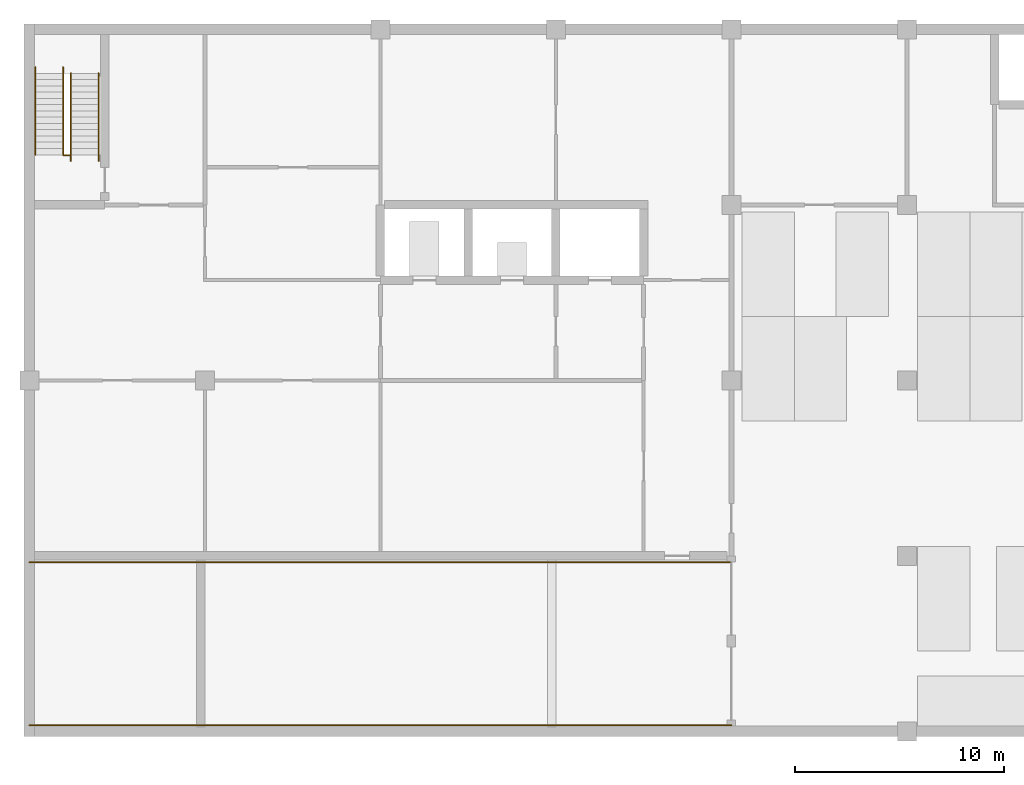
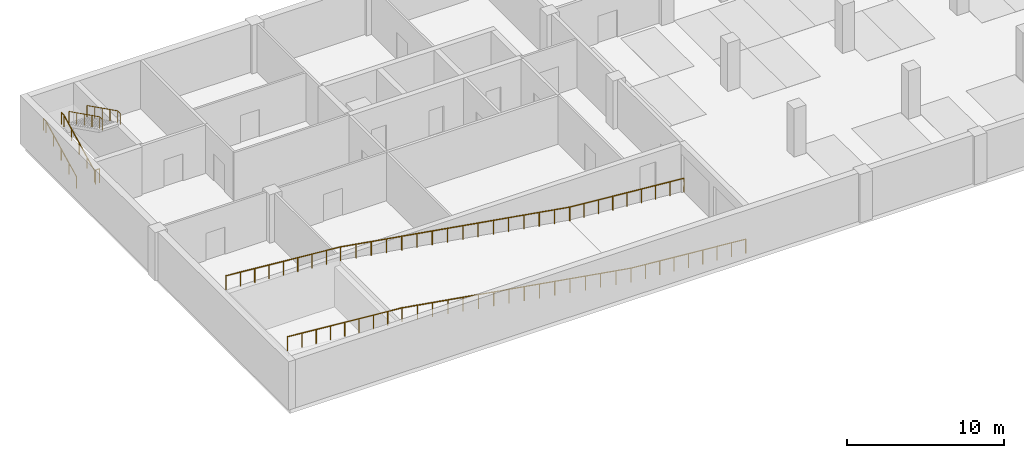
# One storey, part 7 of 14: 7 railings.
"""IFC4 building model written with IfcOpenShell, lengths in metres."""

import ifcopenshell
import ifcopenshell.guid

model = None  # the IFC model being written
_history = None  # IfcOwnerHistory: only IFC2X3 demands one
_inside = {}  # id of a spatial element -> (the spatial element, [elements in it])
_under = {}  # id of a project, library or spatial element -> (it, [spatial elements below it])
_declared = {}  # id of a project -> (the project, [libraries it declares])
_typed = {}  # id of a type object -> (the type object, [elements of that type])
_made_of = {}  # id of a material, layer set ... -> (it, [elements and type objects made of it])


def new_model(schema):
    """Start an empty IFC model of exactly this schema.

    Asked for "IFC4X3", IfcOpenShell would pick the latest addendum, in which some entities
    have other attributes; the version numbers below select the first issue.
    IFC2X3 requires an IfcOwnerHistory on every rooted entity: one is made here for all.
    """
    global model, _history
    if schema == "IFC4X3":
        model = ifcopenshell.file(schema_version=(4, 3, 0, 0))
    else:
        model = ifcopenshell.file(schema=schema)
    _inside.clear()
    _under.clear()
    _declared.clear()
    _typed.clear()
    _made_of.clear()
    _history = None
    if model.schema == "IFC2X3":
        org = make("IfcOrganization", Name="unknown")
        user = make(
            "IfcPersonAndOrganization",
            ThePerson=make("IfcPerson", FamilyName="unknown"),
            TheOrganization=org,
        )
        app = make(
            "IfcApplication",
            ApplicationDeveloper=org,
            Version="unknown",
            ApplicationFullName="unknown",
            ApplicationIdentifier="unknown",
        )
        _history = make(
            "IfcOwnerHistory",
            OwningUser=user,
            OwningApplication=app,
            ChangeAction="ADDED",
            CreationDate=0,
        )
    return model


def make(cls, **values):
    """One entity of the class cls with the attributes given. An attribute that is None is left unset."""
    return model.create_entity(
        cls, **{name: value for name, value in values.items() if value is not None}
    )


def rooted(cls, **values):
    """An entity with a GlobalId (a new one), such as an element, a storey or a relation."""
    return make(cls, GlobalId=ifcopenshell.guid.new(), OwnerHistory=_history, **values)


def si_unit(unit_type, name, prefix=None):
    """IfcSIUnit, for example si_unit("LENGTHUNIT", "METRE", prefix="MILLI")."""
    return make("IfcSIUnit", UnitType=unit_type, Prefix=prefix, Name=name)


def assignment(units):
    """IfcUnitAssignment: the units of a project."""
    return None if units is None else make("IfcUnitAssignment", Units=units)


def point(xyz):
    """IfcCartesianPoint."""
    return None if xyz is None else make("IfcCartesianPoint", Coordinates=xyz)


def direction(xyz):
    """IfcDirection."""
    return None if xyz is None else make("IfcDirection", DirectionRatios=xyz)


def frame(location, z_axis=None, x_axis=None):
    """IfcAxis2Placement3D, a coordinate frame: its origin and axes. An axis left out is left unset."""
    return make(
        "IfcAxis2Placement3D",
        Location=point(location),
        Axis=direction(z_axis),
        RefDirection=direction(x_axis),
    )


def frame_2d(location, x_axis=None):
    """IfcAxis2Placement2D, a coordinate frame in the plane: its origin and x axis."""
    return make(
        "IfcAxis2Placement2D", Location=point(location), RefDirection=direction(x_axis)
    )


def origin():
    """The frame at (0, 0, 0) with its axes left unset."""
    return frame((0.0, 0.0, 0.0))


def origin_2d():
    """The frame at (0, 0) in the plane with its x axis left unset."""
    return frame_2d((0.0, 0.0))


def place(relative_to, where):
    """IfcLocalPlacement: puts the frame where relative to a parent placement (None: the world)."""
    return make(
        "IfcLocalPlacement", PlacementRelTo=relative_to, RelativePlacement=where
    )


def context(
    kind, dimensions, precision=None, world=None, true_north=None, identifier=None
):
    """IfcGeometricRepresentationContext, for example the 3D "Model" context."""
    return make(
        "IfcGeometricRepresentationContext",
        ContextIdentifier=identifier,
        ContextType=kind,
        CoordinateSpaceDimension=dimensions,
        Precision=precision,
        WorldCoordinateSystem=world,
        TrueNorth=true_north,
    )


def subcontext(parent, identifier, kind, view, scale=None):
    """IfcGeometricRepresentationSubContext, for example "Body" below "Model"."""
    return make(
        "IfcGeometricRepresentationSubContext",
        ContextIdentifier=identifier,
        ContextType=kind,
        ParentContext=parent,
        TargetScale=scale,
        TargetView=view,
    )


def project(units=None, contexts=None):
    """IfcProject with its units and contexts."""
    return rooted(
        "IfcProject",
        Name="project",
        RepresentationContexts=contexts,
        UnitsInContext=assignment(units),
    )


def spatial(cls, under=None, at=None, **own):
    """A site, building, storey or space (cls), placed at a placement, below another one or the project."""
    s = rooted(cls, ObjectPlacement=at, **own)
    if under is not None:
        _under.setdefault(under.id(), (under, []))[1].append(s)
    return s


def profile(cls, at=None, kind="AREA", **sizes):
    """A parametric profile (cls). Its sizes go by their IFC names, for example OverallWidth=200.0."""
    return make(cls, ProfileType=kind, Position=at, **sizes)


def circle(**sizes):
    """IfcCircleProfileDef."""
    return profile("IfcCircleProfileDef", **sizes)


def extrude(swept, where, along, depth):
    """IfcExtrudedAreaSolid: the profile swept, set in the frame where, extruded along a direction by depth."""
    return make(
        "IfcExtrudedAreaSolid",
        SweptArea=swept,
        Position=where,
        ExtrudedDirection=direction(along),
        Depth=depth,
    )


def shape(context_of_items, identifier, shape_type, items):
    """IfcShapeRepresentation: the items that make up one representation, for example the "Body"."""
    return make(
        "IfcShapeRepresentation",
        ContextOfItems=context_of_items,
        RepresentationIdentifier=identifier,
        RepresentationType=shape_type,
        Items=items,
    )


def material(Name=None, Category=None):
    """IfcMaterial."""
    return make("IfcMaterial", Name=Name, Category=Category)


def made_of(thing, what):
    """Note that an element or type object is made of a material, layer set ...; save() writes the relation."""
    if what is not None:
        _made_of.setdefault(what.id(), (what, []))[1].append(thing)
    return thing


def type_object(cls, material=None, **own):
    """A type object (cls), such as IfcWallType, which elements share."""
    return made_of(rooted(cls, **own), material)


def element(
    cls,
    number,
    at=None,
    inside=None,
    cuts=None,
    type_object=None,
    material=None,
    context=None,
    identifier="Body",
    shape_type=None,
    held_by="IfcProductDefinitionShape",
    body=None,
    shapes=None,
    **own,
):
    """One element of the class cls, such as IfcWall. Its Tag is "e" and its number.

    at: its placement. inside: the storey or other place that contains it. cuts: it is an
    opening in that element (IfcRelVoidsElement). A single representation is given by context,
    identifier, shape_type and body (its items); several are given by shapes. held_by: the class
    of the entity that holds the representations. save() writes the other relations.
    """
    e = rooted(cls, Tag="e%d" % number, ObjectPlacement=at, **own)
    if body is not None:
        shapes = [shape(context, identifier, shape_type, body)]
    if shapes is not None:
        e.Representation = make(held_by, Representations=shapes)
    if inside is not None:
        _inside.setdefault(inside.id(), (inside, []))[1].append(e)
    if cuts is not None:
        rooted(
            "IfcRelVoidsElement", RelatingBuildingElement=cuts, RelatedOpeningElement=e
        )
    if type_object is not None:
        _typed.setdefault(type_object.id(), (type_object, []))[1].append(e)
    return made_of(e, material)


def aggregate(whole, parts):
    """IfcRelAggregates: a whole, such as a stair, and the parts it consists of."""
    return rooted("IfcRelAggregates", RelatingObject=whole, RelatedObjects=parts)


def save(model, path):
    """Write the relations noted so far, then the file.

    IfcRelAggregates (storeys below a building ...), IfcRelContainedInSpatialStructure (elements
    in a storey), IfcRelDefinesByType, IfcRelAssociatesMaterial and IfcRelDeclares: one each for
    every whole, place, type object, material and project.
    """
    for whole, parts in _under.values():
        aggregate(whole, parts)
    for where, things in _inside.values():
        rooted(
            "IfcRelContainedInSpatialStructure",
            RelatedElements=things,
            RelatingStructure=where,
        )
    for kind, things in _typed.values():
        rooted("IfcRelDefinesByType", RelatedObjects=things, RelatingType=kind)
    for what, things in _made_of.values():
        rooted("IfcRelAssociatesMaterial", RelatedObjects=things, RelatingMaterial=what)
    for by, libraries in _declared.values():
        rooted("IfcRelDeclares", RelatingContext=by, RelatedDefinitions=libraries)
    model.write(path)


model = new_model("IFC4")

# Units and contexts
model_context = context("Model", 3, precision=1e-05, world=origin(), true_north=direction((0.0, 1.0)))
body_context = subcontext(model_context, "Body", "Model", "MODEL_VIEW")
ifc_project = project(units=[si_unit("LENGTHUNIT", "METRE"), si_unit("AREAUNIT", "SQUARE_METRE"), si_unit("VOLUMEUNIT", "CUBIC_METRE"), si_unit("PLANEANGLEUNIT", "RADIAN"), si_unit("MASSUNIT", "GRAM", prefix="KILO")], contexts=[model_context])

# Site, building, storey
site_placement = place(None, origin())
site = spatial("IfcSite", under=ifc_project, at=site_placement, CompositionType="ELEMENT")
building_placement = place(site_placement, origin())
building = spatial("IfcBuilding", under=site, at=building_placement, Name="Yavir Park General Hospital", CompositionType="ELEMENT")
storey_placement = place(building_placement, frame((0.0, 0.0, -4.199951171875)))
storey = spatial("IfcBuildingStorey", under=building, at=storey_placement, Name="B1", CompositionType="ELEMENT", Elevation=-4.199951171875)

# Railings
ifc_material_1 = material(Name="Steel balustrade with infill rods", Category="steel")
railing_type_1 = type_object("IfcRailingType", Name="Ramp guard, steel balustrade 1100 mm", PredefinedType="GUARDRAIL", material=ifc_material_1)
railing_1_placement = place(storey_placement, frame((0.0, 0.300048828125, 4.199951171875)))
element("IfcRailing", 1, at=railing_1_placement, inside=storey, type_object=railing_type_1, Name="Ramp guard 1", PredefinedType="GUARDRAIL", context=body_context, shape_type="SweptSolid", body=[
    extrude(circle(Radius=0.02392578125, at=origin_2d()), frame((0.0, 0.0, 1.076171875), z_axis=(0.996546157741, 0.0, -0.08304068576), x_axis=(0.0, 1.0, 0.0)), (0.0, 0.0, 1.0), 8.428955078125),
    extrude(circle(Radius=0.02392578125, at=origin_2d()), frame((8.39990234375, 0.0, 0.3759765625), z_axis=(0.986393536413, 0.0, -0.164401311803), x_axis=(0.0, 1.0, 0.0)), (0.0, 0.0, 1.0), 17.03173828125),
    extrude(circle(Radius=0.02392578125, at=origin_2d()), frame((25.199951171875, 0.0, -2.423828125), z_axis=(0.996546357463, 0.0, -0.083038288919), x_axis=(0.0, 1.0, 0.0)), (0.0, 0.0, 1.0), 8.42919921875),
    extrude(circle(Radius=0.02099609375, at=origin_2d()), origin(), (0.0, 0.0, 1.0), 1.052001953125),
    extrude(circle(Radius=0.02099609375, at=origin_2d()), frame((1.050048828125, 0.0, -0.08740234375)), (0.0, 0.0, 1.0), 1.052001953125),
    extrude(circle(Radius=0.02099609375, at=origin_2d()), frame((2.10009765625, 0.0, -0.175048828125)), (0.0, 0.0, 1.0), 1.052001953125),
    extrude(circle(Radius=0.02099609375, at=origin_2d()), frame((3.14990234375, 0.0, -0.262451171875)), (0.0, 0.0, 1.0), 1.052001953125),
    extrude(circle(Radius=0.02099609375, at=origin_2d()), frame((4.199951171875, 0.0, -0.35009765625)), (0.0, 0.0, 1.0), 1.052001953125),
    extrude(circle(Radius=0.02099609375, at=origin_2d()), frame((5.25, 0.0, -0.4375)), (0.0, 0.0, 1.0), 1.052001953125),
    extrude(circle(Radius=0.02099609375, at=origin_2d()), frame((6.2998046875, 0.0, -0.52490234375)), (0.0, 0.0, 1.0), 1.052001953125),
    extrude(circle(Radius=0.02099609375, at=origin_2d()), frame((7.349853515625, 0.0, -0.612548828125)), (0.0, 0.0, 1.0), 1.052001953125),
    extrude(circle(Radius=0.02099609375, at=origin_2d()), frame((8.39990234375, 0.0, -0.699951171875)), (0.0, 0.0, 1.0), 1.052001953125),
    extrude(circle(Radius=0.02099609375, at=origin_2d()), frame((9.52001953125, 0.0, -0.88671875)), (0.0, 0.0, 1.0), 1.052001953125),
    extrude(circle(Radius=0.02099609375, at=origin_2d()), frame((10.639892578125, 0.0, -1.0732421875)), (0.0, 0.0, 1.0), 1.052001953125),
    extrude(circle(Radius=0.02099609375, at=origin_2d()), frame((11.760009765625, 0.0, -1.260009765625)), (0.0, 0.0, 1.0), 1.052001953125),
    extrude(circle(Radius=0.02099609375, at=origin_2d()), frame((12.8798828125, 0.0, -1.446533203125)), (0.0, 0.0, 1.0), 1.052001953125),
    extrude(circle(Radius=0.02099609375, at=origin_2d()), frame((14.0, 0.0, -1.63330078125)), (0.0, 0.0, 1.0), 1.052001953125),
    extrude(circle(Radius=0.02099609375, at=origin_2d()), frame((15.119873046875, 0.0, -1.820068359375)), (0.0, 0.0, 1.0), 1.052001953125),
    extrude(circle(Radius=0.02099609375, at=origin_2d()), frame((16.239990234375, 0.0, -2.006591796875)), (0.0, 0.0, 1.0), 1.052001953125),
    extrude(circle(Radius=0.02099609375, at=origin_2d()), frame((17.35986328125, 0.0, -2.193359375)), (0.0, 0.0, 1.0), 1.052001953125),
    extrude(circle(Radius=0.02099609375, at=origin_2d()), frame((18.47998046875, 0.0, -2.3798828125)), (0.0, 0.0, 1.0), 1.052001953125),
    extrude(circle(Radius=0.02099609375, at=origin_2d()), frame((19.599853515625, 0.0, -2.566650390625)), (0.0, 0.0, 1.0), 1.052001953125),
    extrude(circle(Radius=0.02099609375, at=origin_2d()), frame((20.719970703125, 0.0, -2.75341796875)), (0.0, 0.0, 1.0), 1.052001953125),
    extrude(circle(Radius=0.02099609375, at=origin_2d()), frame((21.83984375, 0.0, -2.93994140625)), (0.0, 0.0, 1.0), 1.052001953125),
    extrude(circle(Radius=0.02099609375, at=origin_2d()), frame((22.9599609375, 0.0, -3.126708984375)), (0.0, 0.0, 1.0), 1.052001953125),
    extrude(circle(Radius=0.02099609375, at=origin_2d()), frame((24.079833984375, 0.0, -3.313232421875)), (0.0, 0.0, 1.0), 1.052001953125),
    extrude(circle(Radius=0.02099609375, at=origin_2d()), frame((25.199951171875, 0.0, -3.5)), (0.0, 0.0, 1.0), 1.052001953125),
    extrude(circle(Radius=0.02099609375, at=origin_2d()), frame((26.25, 0.0, -3.58740234375)), (0.0, 0.0, 1.0), 1.052001953125),
    extrude(circle(Radius=0.02099609375, at=origin_2d()), frame((27.300048828125, 0.0, -3.675048828125)), (0.0, 0.0, 1.0), 1.052001953125),
    extrude(circle(Radius=0.02099609375, at=origin_2d()), frame((28.35009765625, 0.0, -3.762451171875)), (0.0, 0.0, 1.0), 1.052001953125),
    extrude(circle(Radius=0.02099609375, at=origin_2d()), frame((29.39990234375, 0.0, -3.85009765625)), (0.0, 0.0, 1.0), 1.052001953125),
    extrude(circle(Radius=0.02099609375, at=origin_2d()), frame((30.449951171875, 0.0, -3.9375)), (0.0, 0.0, 1.0), 1.052001953125),
    extrude(circle(Radius=0.02099609375, at=origin_2d()), frame((31.5, 0.0, -4.02490234375)), (0.0, 0.0, 1.0), 1.052001953125),
    extrude(circle(Radius=0.02099609375, at=origin_2d()), frame((32.550048828125, 0.0, -4.112548828125)), (0.0, 0.0, 1.0), 1.052001953125),
    extrude(circle(Radius=0.02099609375, at=origin_2d()), frame((33.60009765625, 0.0, -4.199951171875)), (0.0, 0.0, 1.0), 1.052001953125),
])
railing_2_placement = place(storey_placement, frame((0.0, 8.10009765625, 4.199951171875)))
element("IfcRailing", 2, at=railing_2_placement, inside=storey, type_object=railing_type_1, Name="Ramp guard 2", PredefinedType="GUARDRAIL", context=body_context, shape_type="SweptSolid", body=[
    extrude(circle(Radius=0.02392578125, at=origin_2d()), frame((0.0, 0.0, 1.076171875), z_axis=(0.996546157741, 0.0, -0.08304068576), x_axis=(0.0, 1.0, 0.0)), (0.0, 0.0, 1.0), 8.428955078125),
    extrude(circle(Radius=0.02392578125, at=origin_2d()), frame((8.39990234375, 0.0, 0.3759765625), z_axis=(0.986393536413, 0.0, -0.164401311803), x_axis=(0.0, 1.0, 0.0)), (0.0, 0.0, 1.0), 17.03173828125),
    extrude(circle(Radius=0.02392578125, at=origin_2d()), frame((25.199951171875, 0.0, -2.423828125), z_axis=(0.996546357463, 0.0, -0.083038288919), x_axis=(0.0, 1.0, 0.0)), (0.0, 0.0, 1.0), 8.42919921875),
    extrude(circle(Radius=0.02099609375, at=origin_2d()), origin(), (0.0, 0.0, 1.0), 1.052001953125),
    extrude(circle(Radius=0.02099609375, at=origin_2d()), frame((1.050048828125, 0.0, -0.08740234375)), (0.0, 0.0, 1.0), 1.052001953125),
    extrude(circle(Radius=0.02099609375, at=origin_2d()), frame((2.10009765625, 0.0, -0.175048828125)), (0.0, 0.0, 1.0), 1.052001953125),
    extrude(circle(Radius=0.02099609375, at=origin_2d()), frame((3.14990234375, 0.0, -0.262451171875)), (0.0, 0.0, 1.0), 1.052001953125),
    extrude(circle(Radius=0.02099609375, at=origin_2d()), frame((4.199951171875, 0.0, -0.35009765625)), (0.0, 0.0, 1.0), 1.052001953125),
    extrude(circle(Radius=0.02099609375, at=origin_2d()), frame((5.25, 0.0, -0.4375)), (0.0, 0.0, 1.0), 1.052001953125),
    extrude(circle(Radius=0.02099609375, at=origin_2d()), frame((6.2998046875, 0.0, -0.52490234375)), (0.0, 0.0, 1.0), 1.052001953125),
    extrude(circle(Radius=0.02099609375, at=origin_2d()), frame((7.349853515625, 0.0, -0.612548828125)), (0.0, 0.0, 1.0), 1.052001953125),
    extrude(circle(Radius=0.02099609375, at=origin_2d()), frame((8.39990234375, 0.0, -0.699951171875)), (0.0, 0.0, 1.0), 1.052001953125),
    extrude(circle(Radius=0.02099609375, at=origin_2d()), frame((9.52001953125, 0.0, -0.88671875)), (0.0, 0.0, 1.0), 1.052001953125),
    extrude(circle(Radius=0.02099609375, at=origin_2d()), frame((10.639892578125, 0.0, -1.0732421875)), (0.0, 0.0, 1.0), 1.052001953125),
    extrude(circle(Radius=0.02099609375, at=origin_2d()), frame((11.760009765625, 0.0, -1.260009765625)), (0.0, 0.0, 1.0), 1.052001953125),
    extrude(circle(Radius=0.02099609375, at=origin_2d()), frame((12.8798828125, 0.0, -1.446533203125)), (0.0, 0.0, 1.0), 1.052001953125),
    extrude(circle(Radius=0.02099609375, at=origin_2d()), frame((14.0, 0.0, -1.63330078125)), (0.0, 0.0, 1.0), 1.052001953125),
    extrude(circle(Radius=0.02099609375, at=origin_2d()), frame((15.119873046875, 0.0, -1.820068359375)), (0.0, 0.0, 1.0), 1.052001953125),
    extrude(circle(Radius=0.02099609375, at=origin_2d()), frame((16.239990234375, 0.0, -2.006591796875)), (0.0, 0.0, 1.0), 1.052001953125),
    extrude(circle(Radius=0.02099609375, at=origin_2d()), frame((17.35986328125, 0.0, -2.193359375)), (0.0, 0.0, 1.0), 1.052001953125),
    extrude(circle(Radius=0.02099609375, at=origin_2d()), frame((18.47998046875, 0.0, -2.3798828125)), (0.0, 0.0, 1.0), 1.052001953125),
    extrude(circle(Radius=0.02099609375, at=origin_2d()), frame((19.599853515625, 0.0, -2.566650390625)), (0.0, 0.0, 1.0), 1.052001953125),
    extrude(circle(Radius=0.02099609375, at=origin_2d()), frame((20.719970703125, 0.0, -2.75341796875)), (0.0, 0.0, 1.0), 1.052001953125),
    extrude(circle(Radius=0.02099609375, at=origin_2d()), frame((21.83984375, 0.0, -2.93994140625)), (0.0, 0.0, 1.0), 1.052001953125),
    extrude(circle(Radius=0.02099609375, at=origin_2d()), frame((22.9599609375, 0.0, -3.126708984375)), (0.0, 0.0, 1.0), 1.052001953125),
    extrude(circle(Radius=0.02099609375, at=origin_2d()), frame((24.079833984375, 0.0, -3.313232421875)), (0.0, 0.0, 1.0), 1.052001953125),
    extrude(circle(Radius=0.02099609375, at=origin_2d()), frame((25.199951171875, 0.0, -3.5)), (0.0, 0.0, 1.0), 1.052001953125),
    extrude(circle(Radius=0.02099609375, at=origin_2d()), frame((26.25, 0.0, -3.58740234375)), (0.0, 0.0, 1.0), 1.052001953125),
    extrude(circle(Radius=0.02099609375, at=origin_2d()), frame((27.300048828125, 0.0, -3.675048828125)), (0.0, 0.0, 1.0), 1.052001953125),
    extrude(circle(Radius=0.02099609375, at=origin_2d()), frame((28.35009765625, 0.0, -3.762451171875)), (0.0, 0.0, 1.0), 1.052001953125),
    extrude(circle(Radius=0.02099609375, at=origin_2d()), frame((29.39990234375, 0.0, -3.85009765625)), (0.0, 0.0, 1.0), 1.052001953125),
    extrude(circle(Radius=0.02099609375, at=origin_2d()), frame((30.449951171875, 0.0, -3.9375)), (0.0, 0.0, 1.0), 1.052001953125),
    extrude(circle(Radius=0.02099609375, at=origin_2d()), frame((31.5, 0.0, -4.02490234375)), (0.0, 0.0, 1.0), 1.052001953125),
    extrude(circle(Radius=0.02099609375, at=origin_2d()), frame((32.550048828125, 0.0, -4.112548828125)), (0.0, 0.0, 1.0), 1.052001953125),
    extrude(circle(Radius=0.02099609375, at=origin_2d()), frame((33.60009765625, 0.0, -4.199951171875)), (0.0, 0.0, 1.0), 1.052001953125),
])
ifc_material_2 = material(Name="Steel balustrade with infill rods", Category="steel")
railing_type_2 = type_object("IfcRailingType", Name="Stair guard, steel balustrade 1100 mm", PredefinedType="GUARDRAIL", material=ifc_material_2)
railing_3_placement = place(storey_placement, frame((1.64990234375, 27.570068359375, 0.0)))
element("IfcRailing", 3, at=railing_3_placement, inside=storey, type_object=railing_type_2, Name="Stair well guard BS1 B1", PredefinedType="GUARDRAIL", context=body_context, shape_type="SweptSolid", body=[
    extrude(circle(Radius=0.02392578125, at=origin_2d()), frame((0.0, 0.0, 1.076171875), z_axis=(1.0, 0.0, 0.0), x_axis=(0.0, 1.0, 0.0)), (0.0, 0.0, 1.0), 0.300048828125),
    extrude(circle(Radius=0.02099609375, at=origin_2d()), origin(), (0.0, 0.0, 1.0), 1.052001953125),
    extrude(circle(Radius=0.02099609375, at=origin_2d()), frame((0.300048828125, 0.0, 0.0)), (0.0, 0.0, 1.0), 1.052001953125),
])
ifc_material_3 = material(Name="Stainless steel tube 48 mm", Category="steel")
railing_type_3 = type_object("IfcRailingType", Name="Stair handrail, steel tube, 900 mm above the nosings", PredefinedType="HANDRAIL", material=ifc_material_3)
for number, where, name in (
    (4, (0.2900390625, 27.60009765625, 0.14990234375), "Handrail BS1 B1 1"),
    (5, (1.610107421875, 27.60009765625, 0.14990234375), "Handrail BS1 B1 2"),
):
    element("IfcRailing", number, at=place(storey_placement, frame(where)), inside=storey, type_object=railing_type_3, Name=name, PredefinedType="HANDRAIL", context=body_context, shape_type="SweptSolid", body=[
        extrude(circle(Radius=0.02392578125, at=origin_2d()), frame((0.0, 0.0, 0.8759765625), z_axis=(0.0, 0.894427191, 0.4472135955), x_axis=(-1.0, 0.0, 0.0)), (0.0, 0.0, 1.0), 4.360107421875),
        extrude(circle(Radius=0.02392578125, at=origin_2d()), frame((0.0, 3.89990234375, 2.82568359375), z_axis=(0.0, 1.0, 0.0), x_axis=(-1.0, 0.0, 0.0)), (0.0, 0.0, 1.0), 0.300048828125),
        extrude(circle(Radius=0.02099609375, at=origin_2d()), origin(), (0.0, 0.0, 1.0), 0.851806640625),
        extrude(circle(Radius=0.02099609375, at=origin_2d()), frame((0.0, 0.97509765625, 0.487548828125)), (0.0, 0.0, 1.0), 0.851806640625),
        extrude(circle(Radius=0.02099609375, at=origin_2d()), frame((0.0, 1.949951171875, 0.97509765625)), (0.0, 0.0, 1.0), 0.851806640625),
        extrude(circle(Radius=0.02099609375, at=origin_2d()), frame((0.0, 2.9248046875, 1.46240234375)), (0.0, 0.0, 1.0), 0.851806640625),
        extrude(circle(Radius=0.02099609375, at=origin_2d()), frame((0.0, 3.89990234375, 1.949951171875)), (0.0, 0.0, 1.0), 0.851806640625),
        extrude(circle(Radius=0.02099609375, at=origin_2d()), frame((0.0, 4.199951171875, 1.949951171875)), (0.0, 0.0, 1.0), 0.851806640625),
    ])
for number, where, name in (
    (6, (3.31005859375, 31.5, 2.25), "Handrail BS1 B1 3"),
    (7, (1.989990234375, 31.5, 2.25), "Handrail BS1 B1 4"),
):
    element("IfcRailing", number, at=place(storey_placement, frame(where)), inside=storey, type_object=railing_type_3, Name=name, PredefinedType="HANDRAIL", context=body_context, shape_type="SweptSolid", body=[
        extrude(circle(Radius=0.02392578125, at=origin_2d()), frame((0.0, 0.0, 0.8759765625), z_axis=(0.0, -0.894427191, 0.4472135955), x_axis=(1.0, 0.0, 0.0)), (0.0, 0.0, 1.0), 4.360107421875),
        extrude(circle(Radius=0.02392578125, at=origin_2d()), frame((0.0, -3.89990234375, 2.82568359375), z_axis=(0.0, -1.0, 0.0), x_axis=(1.0, 0.0, 0.0)), (0.0, 0.0, 1.0), 0.300048828125),
        extrude(circle(Radius=0.02099609375, at=origin_2d()), origin(), (0.0, 0.0, 1.0), 0.851806640625),
        extrude(circle(Radius=0.02099609375, at=origin_2d()), frame((0.0, -0.97509765625, 0.487548828125)), (0.0, 0.0, 1.0), 0.851806640625),
        extrude(circle(Radius=0.02099609375, at=origin_2d()), frame((0.0, -1.949951171875, 0.97509765625)), (0.0, 0.0, 1.0), 0.851806640625),
        extrude(circle(Radius=0.02099609375, at=origin_2d()), frame((0.0, -2.9248046875, 1.46240234375)), (0.0, 0.0, 1.0), 0.851806640625),
        extrude(circle(Radius=0.02099609375, at=origin_2d()), frame((0.0, -3.89990234375, 1.949951171875)), (0.0, 0.0, 1.0), 0.851806640625),
        extrude(circle(Radius=0.02099609375, at=origin_2d()), frame((0.0, -4.199951171875, 1.949951171875)), (0.0, 0.0, 1.0), 0.851806640625),
    ])

save(model, "model.ifc")
